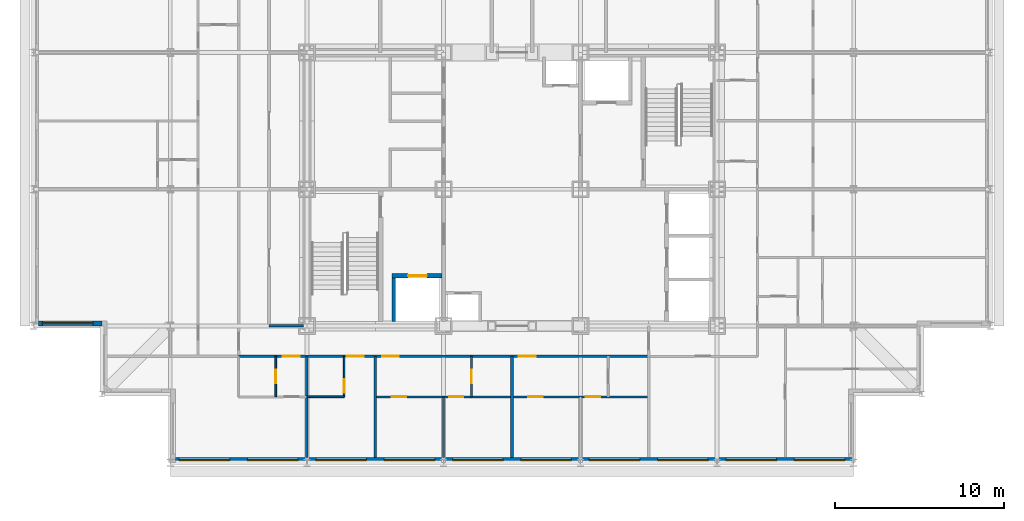
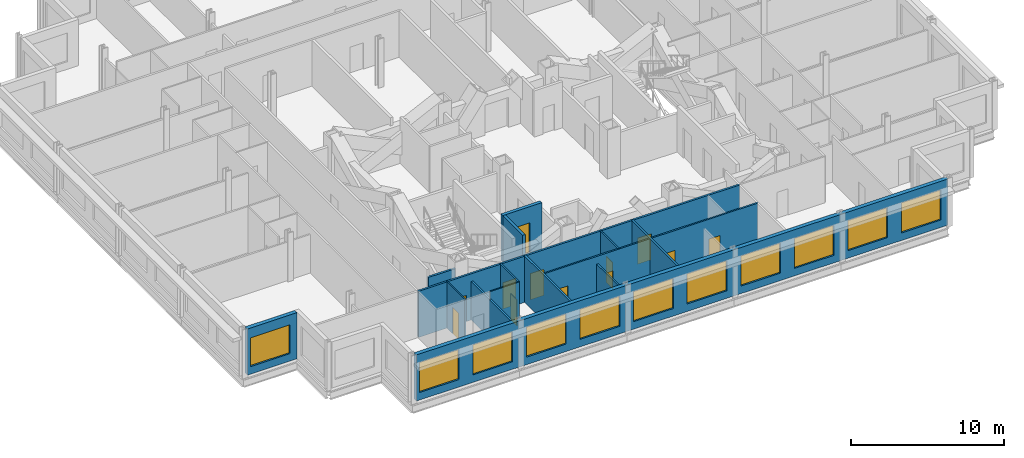
# One storey, part 7 of 15: 15 walls, 12 doors, 11 windows, 23 openings.
"""IFC4 building model written with IfcOpenShell, lengths in metres."""

from ifc_helpers import new_model, si_unit, direction, frame, frame_2d, origin, place, context, subcontext, project, spatial, rectangle, extrude, material, layer, layer_set, type_object, element, fill, save


model = new_model("IFC4")

# Units and contexts
model_context = context("Model", 3, precision=1e-05, world=origin(), true_north=direction((0.0, 1.0)))
body_context = subcontext(model_context, "Body", "Model", "MODEL_VIEW")
ifc_project = project(units=[si_unit("LENGTHUNIT", "METRE"), si_unit("AREAUNIT", "SQUARE_METRE"), si_unit("VOLUMEUNIT", "CUBIC_METRE"), si_unit("PLANEANGLEUNIT", "RADIAN"), si_unit("MASSUNIT", "GRAM", prefix="KILO")], contexts=[model_context])

# Site, building, storey
site_placement = place(None, origin())
site = spatial("IfcSite", under=ifc_project, at=site_placement, CompositionType="ELEMENT")
building_placement = place(site_placement, origin())
building = spatial("IfcBuilding", under=site, at=building_placement, Name="Kopane Lantern Tower", CompositionType="ELEMENT")
storey_placement = place(building_placement, frame((0.0, 0.0, 250.199951171875)))
storey = spatial("IfcBuildingStorey", under=building, at=storey_placement, Name="L64", CompositionType="ELEMENT", Elevation=250.199951171875)

# Wall, openings, doors
ifc_material_1 = material(Name="Gypsum board on steel studs", Category="steel")
ifc_layer_1 = layer(ifc_material_1, 0.1201171875)
ifc_layer_set_1 = layer_set([ifc_layer_1], Name="APARTMENT INTERNAL WALL 120")
wall_type_1 = type_object("IfcWallType", Name="APARTMENT INTERNAL WALL 120", PredefinedType="PARTITIONING", material=ifc_layer_set_1)
wall_1_placement = place(storey_placement, frame((20.25, 20.10009765625, 0.0), z_axis=(0.0, 0.0, 1.0), x_axis=(1.0, 0.0, 0.0)))
wall_1 = element("IfcWall", 1, at=wall_1_placement, inside=storey, type_object=wall_type_1, Name="Apartment Internal Wall 120 L64", PredefinedType="PARTITIONING", context=body_context, shape_type="SweptSolid", body=[
    extrude(rectangle(XDim=16.199951171875, YDim=0.1201171875, at=frame_2d((8.10009765625, 0.0))), origin(), (0.0, 0.0, 1.0), 3.68994140625),
])
opening_1_placement = place(wall_1_placement, frame((0.97509765625, 0.0, 0.0)))
opening_1 = element("IfcOpeningElement", 2, at=opening_1_placement, cuts=wall_1, Name="Opening L64-012", PredefinedType="OPENING", context=body_context, shape_type="SweptSolid", body=[
    extrude(rectangle(XDim=0.85009765625, YDim=2.10009765625, at=frame_2d((0.425048828125, 1.050048828125))), frame((0.0, 0.070068359375, 0.0), z_axis=(0.0, -1.0, 0.0), x_axis=(1.0, 0.0, 0.0)), (0.0, 0.0, 1.0), 0.14013671875),
])
opening_2_placement = place(wall_1_placement, frame((4.375, 0.0, 0.0)))
opening_2 = element("IfcOpeningElement", 3, at=opening_2_placement, cuts=wall_1, Name="Opening L64-013", PredefinedType="OPENING", context=body_context, shape_type="SweptSolid", body=[
    extrude(rectangle(XDim=0.85009765625, YDim=2.10009765625, at=frame_2d((0.425048828125, 1.050048828125))), frame((0.0, 0.070068359375, 0.0), z_axis=(0.0, -1.0, 0.0), x_axis=(1.0, 0.0, 0.0)), (0.0, 0.0, 1.0), 0.14013671875),
])
opening_3_placement = place(wall_1_placement, frame((9.074951171875, 0.0, 0.0)))
opening_3 = element("IfcOpeningElement", 4, at=opening_3_placement, cuts=wall_1, Name="Opening L64-016", PredefinedType="OPENING", context=body_context, shape_type="SweptSolid", body=[
    extrude(rectangle(XDim=0.85009765625, YDim=2.10009765625, at=frame_2d((0.425048828125, 1.050048828125))), frame((0.0, 0.070068359375, 0.0), z_axis=(0.0, -1.0, 0.0), x_axis=(1.0, 0.0, 0.0)), (0.0, 0.0, 1.0), 0.14013671875),
])
opening_4_placement = place(wall_1_placement, frame((12.47509765625, 0.0, 0.0)))
opening_4 = element("IfcOpeningElement", 5, at=opening_4_placement, cuts=wall_1, Name="Opening L64-017", PredefinedType="OPENING", context=body_context, shape_type="SweptSolid", body=[
    extrude(rectangle(XDim=0.85009765625, YDim=2.10009765625, at=frame_2d((0.425048828125, 1.050048828125))), frame((0.0, 0.070068359375, 0.0), z_axis=(0.0, -1.0, 0.0), x_axis=(1.0, 0.0, 0.0)), (0.0, 0.0, 1.0), 0.14013671875),
])
ifc_material_2 = material(Name="Timber door set", Category="wood")
door_type_1 = type_object("IfcDoorType", Name="DOOR D4 850x2100", OperationType="SINGLE_SWING_LEFT", PredefinedType="DOOR", material=ifc_material_2)
door_1_placement = place(opening_1_placement, origin())
door_1 = element("IfcDoor", 6, at=door_1_placement, inside=storey, type_object=door_type_1, Name="Door L64-012", OperationType="SINGLE_SWING_LEFT", OverallHeight=2.10009765625, OverallWidth=0.85009765625, PredefinedType="DOOR", context=body_context, shape_type="SweptSolid", body=[
    extrude(rectangle(XDim=0.85009765625, YDim=2.10009765625, at=frame_2d((0.425048828125, 1.050048828125))), frame((0.0, 0.02490234375, 0.0), z_axis=(0.0, -1.0, 0.0), x_axis=(1.0, 0.0, 0.0)), (0.0, 0.0, 1.0), 0.050048828125),
])
fill(opening_1, door_1)
door_2_placement = place(opening_2_placement, origin())
door_2 = element("IfcDoor", 7, at=door_2_placement, inside=storey, type_object=door_type_1, Name="Door L64-013", OperationType="SINGLE_SWING_RIGHT", OverallHeight=2.10009765625, OverallWidth=0.85009765625, PredefinedType="DOOR", context=body_context, shape_type="SweptSolid", body=[
    extrude(rectangle(XDim=0.85009765625, YDim=2.10009765625, at=frame_2d((0.425048828125, 1.050048828125))), frame((0.0, 0.02490234375, 0.0), z_axis=(0.0, -1.0, 0.0), x_axis=(1.0, 0.0, 0.0)), (0.0, 0.0, 1.0), 0.050048828125),
])
fill(opening_2, door_2)
door_3_placement = place(opening_3_placement, origin())
door_3 = element("IfcDoor", 8, at=door_3_placement, inside=storey, type_object=door_type_1, Name="Door L64-016", OperationType="SINGLE_SWING_LEFT", OverallHeight=2.10009765625, OverallWidth=0.85009765625, PredefinedType="DOOR", context=body_context, shape_type="SweptSolid", body=[
    extrude(rectangle(XDim=0.85009765625, YDim=2.10009765625, at=frame_2d((0.425048828125, 1.050048828125))), frame((0.0, 0.02490234375, 0.0), z_axis=(0.0, -1.0, 0.0), x_axis=(1.0, 0.0, 0.0)), (0.0, 0.0, 1.0), 0.050048828125),
])
fill(opening_3, door_3)
door_4_placement = place(opening_4_placement, origin())
door_4 = element("IfcDoor", 9, at=door_4_placement, inside=storey, type_object=door_type_1, Name="Door L64-017", OperationType="SINGLE_SWING_RIGHT", OverallHeight=2.10009765625, OverallWidth=0.85009765625, PredefinedType="DOOR", context=body_context, shape_type="SweptSolid", body=[
    extrude(rectangle(XDim=0.85009765625, YDim=2.10009765625, at=frame_2d((0.425048828125, 1.050048828125))), frame((0.0, 0.02490234375, 0.0), z_axis=(0.0, -1.0, 0.0), x_axis=(1.0, 0.0, 0.0)), (0.0, 0.0, 1.0), 0.050048828125),
])
fill(opening_4, door_4)

# Walls
wall_2_placement = place(storey_placement, frame((24.300048828125, 20.10009765625, 0.0), z_axis=(0.0, 0.0, 1.0), x_axis=(0.0, -1.0, 0.0)))
element("IfcWall", 10, at=wall_2_placement, inside=storey, type_object=wall_type_1, Name="Apartment Internal Wall 120 L64", PredefinedType="PARTITIONING", context=body_context, shape_type="SweptSolid", body=[
    extrude(rectangle(XDim=3.60009765625, YDim=0.1201171875, at=frame_2d((1.800048828125, 0.0))), origin(), (0.0, 0.0, 1.0), 3.077880859375),
])
ifc_material_3 = material(Name="Moisture-resistant board on steel studs", Category="steel")
ifc_layer_2 = layer(ifc_material_3, 0.10009765625)
ifc_layer_set_2 = layer_set([ifc_layer_2], Name="BATHROOM WALL 100")
wall_type_2 = type_object("IfcWallType", Name="BATHROOM WALL 100", PredefinedType="PARTITIONING", material=ifc_layer_set_2)
wall_3_placement = place(storey_placement, frame((16.199951171875, 20.10009765625, 0.0), z_axis=(0.0, 0.0, 1.0), x_axis=(1.0, 0.0, 0.0)))
element("IfcWall", 11, at=wall_3_placement, inside=storey, type_object=wall_type_2, Name="Bathroom Wall 100 L64", PredefinedType="PARTITIONING", context=body_context, shape_type="SweptSolid", body=[
    extrude(rectangle(XDim=2.199951171875, YDim=0.10009765625, at=frame_2d((1.10009765625, 0.0))), origin(), (0.0, 0.0, 1.0), 3.68994140625),
])

# Wall, opening, door
wall_4_placement = place(storey_placement, frame((18.39990234375, 22.5, 0.0), z_axis=(0.0, 0.0, 1.0), x_axis=(0.0, -1.0, 0.0)))
wall_4 = element("IfcWall", 12, at=wall_4_placement, inside=storey, type_object=wall_type_2, Name="Bathroom Wall 100 L64", PredefinedType="PARTITIONING", context=body_context, shape_type="SweptSolid", body=[
    extrude(rectangle(XDim=2.39990234375, YDim=0.10009765625, at=frame_2d((1.199951171875, 0.0))), origin(), (0.0, 0.0, 1.0), 3.68994140625),
])
opening_5_placement = place(wall_4_placement, frame((1.35009765625, 0.0, 0.0)))
opening_5 = element("IfcOpeningElement", 13, at=opening_5_placement, cuts=wall_4, Name="Opening L64-008", PredefinedType="OPENING", context=body_context, shape_type="SweptSolid", body=[
    extrude(rectangle(XDim=0.800048828125, YDim=2.10009765625, at=frame_2d((0.39990234375, 1.050048828125))), frame((0.0, 0.06005859375, 0.0), z_axis=(0.0, -1.0, 0.0), x_axis=(1.0, 0.0, 0.0)), (0.0, 0.0, 1.0), 0.1201171875),
])
ifc_material_4 = material(Name="Timber door set", Category="wood")
door_type_2 = type_object("IfcDoorType", Name="DOOR D2 800x2100", OperationType="SINGLE_SWING_LEFT", PredefinedType="DOOR", material=ifc_material_4)
door_5_placement = place(opening_5_placement, origin())
door_5 = element("IfcDoor", 14, at=door_5_placement, inside=storey, type_object=door_type_2, Name="Door L64-008", OperationType="SINGLE_SWING_LEFT", OverallHeight=2.10009765625, OverallWidth=0.800048828125, PredefinedType="DOOR", context=body_context, shape_type="SweptSolid", body=[
    extrude(rectangle(XDim=0.800048828125, YDim=2.10009765625, at=frame_2d((0.39990234375, 1.050048828125))), frame((0.0, 0.02490234375, 0.0), z_axis=(0.0, -1.0, 0.0), x_axis=(1.0, 0.0, 0.0)), (0.0, 0.0, 1.0), 0.050048828125),
])
fill(opening_5, door_5)

wall_5_placement = place(storey_placement, frame((25.949951171875, 22.5, 0.0), z_axis=(0.0, 0.0, 1.0), x_axis=(0.0, -1.0, 0.0)))
wall_5 = element("IfcWall", 15, at=wall_5_placement, inside=storey, type_object=wall_type_2, Name="Bathroom Wall 100 L64", PredefinedType="PARTITIONING", context=body_context, shape_type="SweptSolid", body=[
    extrude(rectangle(XDim=2.39990234375, YDim=0.10009765625, at=frame_2d((1.199951171875, 0.0))), origin(), (0.0, 0.0, 1.0), 3.68994140625),
])
opening_6_placement = place(wall_5_placement, frame((0.800048828125, 0.0, 0.0)))
opening_6 = element("IfcOpeningElement", 16, at=opening_6_placement, cuts=wall_5, Name="Opening L64-010", PredefinedType="OPENING", context=body_context, shape_type="SweptSolid", body=[
    extrude(rectangle(XDim=0.800048828125, YDim=2.10009765625, at=frame_2d((0.39990234375, 1.050048828125))), frame((0.0, 0.06005859375, 0.0), z_axis=(0.0, -1.0, 0.0), x_axis=(1.0, 0.0, 0.0)), (0.0, 0.0, 1.0), 0.1201171875),
])
door_6_placement = place(opening_6_placement, origin())
door_6 = element("IfcDoor", 17, at=door_6_placement, inside=storey, type_object=door_type_2, Name="Door L64-010", OperationType="SINGLE_SWING_LEFT", OverallHeight=2.10009765625, OverallWidth=0.800048828125, PredefinedType="DOOR", context=body_context, shape_type="SweptSolid", body=[
    extrude(rectangle(XDim=0.800048828125, YDim=2.10009765625, at=frame_2d((0.39990234375, 1.050048828125))), frame((0.0, 0.02490234375, 0.0), z_axis=(0.0, -1.0, 0.0), x_axis=(1.0, 0.0, 0.0)), (0.0, 0.0, 1.0), 0.050048828125),
])
fill(opening_6, door_6)

wall_6_placement = place(storey_placement, frame((14.35009765625, 22.5, 0.0), z_axis=(0.0, 0.0, 1.0), x_axis=(0.0, -1.0, 0.0)))
wall_6 = element("IfcWall", 18, at=wall_6_placement, inside=storey, type_object=wall_type_2, Name="Bathroom Wall 100 L64", PredefinedType="PARTITIONING", context=body_context, shape_type="SweptSolid", body=[
    extrude(rectangle(XDim=2.39990234375, YDim=0.10009765625, at=frame_2d((1.199951171875, 0.0))), origin(), (0.0, 0.0, 1.0), 3.68994140625),
])
opening_7_placement = place(wall_6_placement, frame((0.800048828125, 0.0, 0.0)))
opening_7 = element("IfcOpeningElement", 19, at=opening_7_placement, cuts=wall_6, Name="Opening L64-036", PredefinedType="OPENING", context=body_context, shape_type="SweptSolid", body=[
    extrude(rectangle(XDim=0.800048828125, YDim=2.10009765625, at=frame_2d((0.39990234375, 1.050048828125))), frame((0.0, 0.06005859375, 0.0), z_axis=(0.0, -1.0, 0.0), x_axis=(1.0, 0.0, 0.0)), (0.0, 0.0, 1.0), 0.1201171875),
])
door_7_placement = place(opening_7_placement, origin())
door_7 = element("IfcDoor", 20, at=door_7_placement, inside=storey, type_object=door_type_2, Name="Door L64-036", OperationType="SINGLE_SWING_RIGHT", OverallHeight=2.10009765625, OverallWidth=0.800048828125, PredefinedType="DOOR", context=body_context, shape_type="SweptSolid", body=[
    extrude(rectangle(XDim=0.800048828125, YDim=2.10009765625, at=frame_2d((0.39990234375, 1.050048828125))), frame((0.0, 0.02490234375, 0.0), z_axis=(0.0, -1.0, 0.0), x_axis=(1.0, 0.0, 0.0)), (0.0, 0.0, 1.0), 0.050048828125),
])
fill(opening_7, door_7)

ifc_material_5 = material(Name="Gypsum shaft wall EI 120", Category="gypsum")
ifc_layer_3 = layer(ifc_material_5, 0.25)
ifc_layer_set_3 = layer_set([ifc_layer_3], Name="CORE SHAFT WALL 250 EI 120")
wall_type_3 = type_object("IfcWallType", Name="CORE SHAFT WALL 250 EI 120", PredefinedType="SOLIDWALL", material=ifc_layer_set_3)
wall_7_placement = place(storey_placement, frame((21.25, 27.27490234375, 0.0), z_axis=(0.0, 0.0, 1.0), x_axis=(1.0, 0.0, 0.0)))
wall_7 = element("IfcWall", 21, at=wall_7_placement, inside=storey, type_object=wall_type_3, Name="Core shaft wall L64 YLF1", PredefinedType="SOLIDWALL", context=body_context, shape_type="SweptSolid", body=[
    extrude(rectangle(XDim=2.949951171875, YDim=0.25, at=frame_2d((1.47509765625, 0.0))), origin(), (0.0, 0.0, 1.0), 3.68994140625),
])
opening_8_placement = place(wall_7_placement, frame((0.949951171875, 0.0, 0.0)))
opening_8 = element("IfcOpeningElement", 22, at=opening_8_placement, cuts=wall_7, Name="Opening 64.LD-LF1", PredefinedType="OPENING", context=body_context, shape_type="SweptSolid", body=[
    extrude(rectangle(XDim=1.10009765625, YDim=2.39990234375, at=frame_2d((0.550048828125, 1.199951171875))), frame((0.0, 0.135009765625, 0.0), z_axis=(0.0, -1.0, 0.0), x_axis=(1.0, 0.0, 0.0)), (0.0, 0.0, 1.0), 0.27001953125),
])
ifc_material_6 = material(Name="Steel door set", Category="steel")
door_type_3 = type_object("IfcDoorType", Name="LIFT LANDING DOOR 1100x2400 FD60", OperationType="DOUBLE_DOOR_SLIDING", PredefinedType="DOOR", material=ifc_material_6)
door_8_placement = place(opening_8_placement, origin())
door_8 = element("IfcDoor", 23, at=door_8_placement, inside=storey, type_object=door_type_3, Name="Landing door LF1 L64", OperationType="DOUBLE_DOOR_SLIDING", OverallHeight=2.39990234375, OverallWidth=1.10009765625, PredefinedType="DOOR", context=body_context, shape_type="SweptSolid", body=[
    extrude(rectangle(XDim=1.10009765625, YDim=2.39990234375, at=frame_2d((0.550048828125, 1.199951171875))), frame((0.0, 0.02490234375, 0.0), z_axis=(0.0, -1.0, 0.0), x_axis=(1.0, 0.0, 0.0)), (0.0, 0.0, 1.0), 0.050048828125),
])
fill(opening_8, door_8)

# Wall, openings, doors
ifc_material_7 = material(Name="Gypsum board on steel studs", Category="steel")
ifc_layer_4 = layer(ifc_material_7, 0.14990234375)
ifc_layer_set_4 = layer_set([ifc_layer_4], Name="CORRIDOR WALL 150 EI 60")
wall_type_4 = type_object("IfcWallType", Name="CORRIDOR WALL 150 EI 60", PredefinedType="PARTITIONING", material=ifc_layer_set_4)
wall_8_placement = place(storey_placement, frame((12.14990234375, 22.5, 0.0), z_axis=(0.0, 0.0, 1.0), x_axis=(1.0, 0.0, 0.0)))
wall_8 = element("IfcWall", 24, at=wall_8_placement, inside=storey, type_object=wall_type_4, Name="Corridor Wall 150 Ei 60 L64", PredefinedType="PARTITIONING", context=body_context, shape_type="SweptSolid", body=[
    extrude(rectangle(XDim=24.300048828125, YDim=0.14990234375, at=frame_2d((12.14990234375, 0.0))), origin(), (0.0, 0.0, 1.0), 3.68994140625),
])
opening_9_placement = place(wall_8_placement, frame((6.39990234375, 0.0, 0.0)))
opening_9 = element("IfcOpeningElement", 25, at=opening_9_placement, cuts=wall_8, Name="Opening L64-009", PredefinedType="OPENING", context=body_context, shape_type="SweptSolid", body=[
    extrude(rectangle(XDim=1.0, YDim=2.10009765625, at=frame_2d((0.5, 1.050048828125))), frame((0.0, 0.0849609375, 0.0), z_axis=(0.0, -1.0, 0.0), x_axis=(1.0, 0.0, 0.0)), (0.0, 0.0, 1.0), 0.169921875),
])
opening_10_placement = place(wall_8_placement, frame((8.5, 0.0, 0.0)))
opening_10 = element("IfcOpeningElement", 26, at=opening_10_placement, cuts=wall_8, Name="Opening L64-011", PredefinedType="OPENING", context=body_context, shape_type="SweptSolid", body=[
    extrude(rectangle(XDim=1.0, YDim=2.10009765625, at=frame_2d((0.5, 1.050048828125))), frame((0.0, 0.0849609375, 0.0), z_axis=(0.0, -1.0, 0.0), x_axis=(1.0, 0.0, 0.0)), (0.0, 0.0, 1.0), 0.169921875),
])
opening_11_placement = place(wall_8_placement, frame((16.60009765625, 0.0, 0.0)))
opening_11 = element("IfcOpeningElement", 27, at=opening_11_placement, cuts=wall_8, Name="Opening L64-015", PredefinedType="OPENING", context=body_context, shape_type="SweptSolid", body=[
    extrude(rectangle(XDim=1.0, YDim=2.10009765625, at=frame_2d((0.5, 1.050048828125))), frame((0.0, 0.0849609375, 0.0), z_axis=(0.0, -1.0, 0.0), x_axis=(1.0, 0.0, 0.0)), (0.0, 0.0, 1.0), 0.169921875),
])
opening_12_placement = place(wall_8_placement, frame((2.625, 0.0, 0.0)))
opening_12 = element("IfcOpeningElement", 28, at=opening_12_placement, cuts=wall_8, Name="Opening L64-037", PredefinedType="OPENING", context=body_context, shape_type="SweptSolid", body=[
    extrude(rectangle(XDim=1.0, YDim=2.10009765625, at=frame_2d((0.5, 1.050048828125))), frame((0.0, 0.0849609375, 0.0), z_axis=(0.0, -1.0, 0.0), x_axis=(1.0, 0.0, 0.0)), (0.0, 0.0, 1.0), 0.169921875),
])
ifc_material_8 = material(Name="Steel door set", Category="steel")
door_type_4 = type_object("IfcDoorType", Name="DOOR D3 1000x2100 FD30S", OperationType="SINGLE_SWING_LEFT", PredefinedType="DOOR", material=ifc_material_8)
door_9_placement = place(opening_9_placement, origin())
door_9 = element("IfcDoor", 29, at=door_9_placement, inside=storey, type_object=door_type_4, Name="Door L64-009", OperationType="SINGLE_SWING_RIGHT", OverallHeight=2.10009765625, OverallWidth=1.0, PredefinedType="DOOR", context=body_context, shape_type="SweptSolid", body=[
    extrude(rectangle(XDim=1.0, YDim=2.10009765625, at=frame_2d((0.5, 1.050048828125))), frame((0.0, 0.02490234375, 0.0), z_axis=(0.0, -1.0, 0.0), x_axis=(1.0, 0.0, 0.0)), (0.0, 0.0, 1.0), 0.050048828125),
])
fill(opening_9, door_9)
door_10_placement = place(opening_10_placement, origin())
door_10 = element("IfcDoor", 30, at=door_10_placement, inside=storey, type_object=door_type_4, Name="Door L64-011", OperationType="SINGLE_SWING_RIGHT", OverallHeight=2.10009765625, OverallWidth=1.0, PredefinedType="DOOR", context=body_context, shape_type="SweptSolid", body=[
    extrude(rectangle(XDim=1.0, YDim=2.10009765625, at=frame_2d((0.5, 1.050048828125))), frame((0.0, 0.02490234375, 0.0), z_axis=(0.0, -1.0, 0.0), x_axis=(1.0, 0.0, 0.0)), (0.0, 0.0, 1.0), 0.050048828125),
])
fill(opening_10, door_10)
door_11_placement = place(opening_11_placement, origin())
door_11 = element("IfcDoor", 31, at=door_11_placement, inside=storey, type_object=door_type_4, Name="Door L64-015", OperationType="SINGLE_SWING_RIGHT", OverallHeight=2.10009765625, OverallWidth=1.0, PredefinedType="DOOR", context=body_context, shape_type="SweptSolid", body=[
    extrude(rectangle(XDim=1.0, YDim=2.10009765625, at=frame_2d((0.5, 1.050048828125))), frame((0.0, 0.02490234375, 0.0), z_axis=(0.0, -1.0, 0.0), x_axis=(1.0, 0.0, 0.0)), (0.0, 0.0, 1.0), 0.050048828125),
])
fill(opening_11, door_11)
door_12_placement = place(opening_12_placement, origin())
door_12 = element("IfcDoor", 32, at=door_12_placement, inside=storey, type_object=door_type_4, Name="Door L64-037", OperationType="SINGLE_SWING_RIGHT", OverallHeight=2.10009765625, OverallWidth=1.0, PredefinedType="DOOR", context=body_context, shape_type="SweptSolid", body=[
    extrude(rectangle(XDim=1.0, YDim=2.10009765625, at=frame_2d((0.5, 1.050048828125))), frame((0.0, 0.02490234375, 0.0), z_axis=(0.0, -1.0, 0.0), x_axis=(1.0, 0.0, 0.0)), (0.0, 0.0, 1.0), 0.050048828125),
])
fill(opening_12, door_12)

# Walls
wall_9_placement = place(storey_placement, frame((16.0, 24.300048828125, 0.0), z_axis=(0.0, 0.0, 1.0), x_axis=(-1.0, 0.0, 0.0)))
element("IfcWall", 33, at=wall_9_placement, inside=storey, type_object=wall_type_4, Name="Corridor Wall 150 Ei 60 L64", PredefinedType="PARTITIONING", context=body_context, shape_type="SweptSolid", body=[
    extrude(rectangle(XDim=2.050048828125, YDim=0.14990234375, at=frame_2d((1.02490234375, 0.0))), origin(), (0.0, 0.0, 1.0), 3.077880859375),
])
ifc_material_9 = material(Name="Gypsum board on steel studs", Category="steel")
ifc_layer_5 = layer(ifc_material_9, 0.14990234375)
ifc_layer_set_5 = layer_set([ifc_layer_5], Name="DEMISING WALL 150 EI 60")
wall_type_5 = type_object("IfcWallType", Name="DEMISING WALL 150 EI 60", PredefinedType="PARTITIONING", material=ifc_layer_set_5)
for number, where, z_axis, x_axis, name in (
    (34, (20.25, 22.5, 0.0), (0.0, 0.0, 1.0), (0.0, -1.0, 0.0), "Demising Wall 150 Ei 60 L64"),
    (35, (28.35009765625, 22.5, 0.0), (0.0, 0.0, 1.0), (0.0, -1.0, 0.0), "Demising Wall 150 Ei 60 L64"),
):
    element("IfcWall", number, at=place(storey_placement, frame(where, z_axis=z_axis, x_axis=x_axis)), inside=storey, type_object=wall_type_5, Name=name, PredefinedType="PARTITIONING", context=body_context, shape_type="SweptSolid", body=[
        extrude(rectangle(XDim=6.0, YDim=0.14990234375, at=frame_2d((3.0, 0.0))), origin(), (0.0, 0.0, 1.0), 3.68994140625),
    ])
wall_10_placement = place(storey_placement, frame((16.199951171875, 22.5, 0.0), z_axis=(0.0, 0.0, 1.0), x_axis=(0.0, -1.0, 0.0)))
element("IfcWall", 36, at=wall_10_placement, inside=storey, type_object=wall_type_5, Name="Demising Wall 150 Ei 60 L64", PredefinedType="PARTITIONING", context=body_context, shape_type="SweptSolid", body=[
    extrude(rectangle(XDim=6.0, YDim=0.14990234375, at=frame_2d((3.0, 0.0))), origin(), (0.0, 0.0, 1.0), 3.077880859375),
])

# Wall, openings, windows
ifc_material_10 = material(Name="Terracotta rainscreen on light steel framing", Category="masonry")
ifc_layer_6 = layer(ifc_material_10, 0.300048828125)
ifc_layer_set_6 = layer_set([ifc_layer_6], Name="EXTERNAL WALL EW1 300 TERRACOTTA")
wall_type_6 = type_object("IfcWallType", Name="EXTERNAL WALL EW1 300 TERRACOTTA", PredefinedType="SOLIDWALL", material=ifc_layer_set_6)
wall_11_placement = place(storey_placement, frame((8.39990234375, 16.35009765625, 0.0), z_axis=(0.0, 0.0, 1.0), x_axis=(1.0, 0.0, 0.0)))
wall_11 = element("IfcWall", 37, at=wall_11_placement, inside=storey, type_object=wall_type_6, Name="External wall S L64", PredefinedType="SOLIDWALL", context=body_context, shape_type="SweptSolid", body=[
    extrude(rectangle(XDim=40.2001953125, YDim=0.300048828125, at=frame_2d((20.10009765625, 0.0))), origin(), (0.0, 0.0, 1.0), 3.68994140625),
])
opening_13_placement = place(wall_11_placement, frame((0.22509765625, 0.0, 0.60009765625)))
opening_13 = element("IfcOpeningElement", 38, at=opening_13_placement, cuts=wall_11, Name="Opening WR300240", PredefinedType="OPENING", context=body_context, shape_type="SweptSolid", body=[
    extrude(rectangle(XDim=3.0, YDim=2.39990234375, at=frame_2d((1.5, 1.199951171875))), frame((0.0, 0.159912109375, 0.0), z_axis=(0.0, -1.0, 0.0), x_axis=(1.0, 0.0, 0.0)), (0.0, 0.0, 1.0), 0.320068359375),
])
opening_14_placement = place(wall_11_placement, frame((4.27490234375, 0.0, 0.60009765625)))
opening_14 = element("IfcOpeningElement", 39, at=opening_14_placement, cuts=wall_11, Name="Opening WR300240", PredefinedType="OPENING", context=body_context, shape_type="SweptSolid", body=[
    extrude(rectangle(XDim=3.0, YDim=2.39990234375, at=frame_2d((1.5, 1.199951171875))), frame((0.0, 0.159912109375, 0.0), z_axis=(0.0, -1.0, 0.0), x_axis=(1.0, 0.0, 0.0)), (0.0, 0.0, 1.0), 0.320068359375),
])
opening_15_placement = place(wall_11_placement, frame((8.324951171875, 0.0, 0.60009765625)))
opening_15 = element("IfcOpeningElement", 40, at=opening_15_placement, cuts=wall_11, Name="Opening WR300240", PredefinedType="OPENING", context=body_context, shape_type="SweptSolid", body=[
    extrude(rectangle(XDim=3.0, YDim=2.39990234375, at=frame_2d((1.5, 1.199951171875))), frame((0.0, 0.159912109375, 0.0), z_axis=(0.0, -1.0, 0.0), x_axis=(1.0, 0.0, 0.0)), (0.0, 0.0, 1.0), 0.320068359375),
])
opening_16_placement = place(wall_11_placement, frame((12.375, 0.0, 0.60009765625)))
opening_16 = element("IfcOpeningElement", 41, at=opening_16_placement, cuts=wall_11, Name="Opening WR300240", PredefinedType="OPENING", context=body_context, shape_type="SweptSolid", body=[
    extrude(rectangle(XDim=3.0, YDim=2.39990234375, at=frame_2d((1.5, 1.199951171875))), frame((0.0, 0.159912109375, 0.0), z_axis=(0.0, -1.0, 0.0), x_axis=(1.0, 0.0, 0.0)), (0.0, 0.0, 1.0), 0.320068359375),
])
opening_17_placement = place(wall_11_placement, frame((16.425048828125, 0.0, 0.60009765625)))
opening_17 = element("IfcOpeningElement", 42, at=opening_17_placement, cuts=wall_11, Name="Opening WR300240", PredefinedType="OPENING", context=body_context, shape_type="SweptSolid", body=[
    extrude(rectangle(XDim=3.0, YDim=2.39990234375, at=frame_2d((1.5, 1.199951171875))), frame((0.0, 0.159912109375, 0.0), z_axis=(0.0, -1.0, 0.0), x_axis=(1.0, 0.0, 0.0)), (0.0, 0.0, 1.0), 0.320068359375),
])
opening_18_placement = place(wall_11_placement, frame((20.47509765625, 0.0, 0.60009765625)))
opening_18 = element("IfcOpeningElement", 43, at=opening_18_placement, cuts=wall_11, Name="Opening WR300240", PredefinedType="OPENING", context=body_context, shape_type="SweptSolid", body=[
    extrude(rectangle(XDim=3.0, YDim=2.39990234375, at=frame_2d((1.5, 1.199951171875))), frame((0.0, 0.159912109375, 0.0), z_axis=(0.0, -1.0, 0.0), x_axis=(1.0, 0.0, 0.0)), (0.0, 0.0, 1.0), 0.320068359375),
])
opening_19_placement = place(wall_11_placement, frame((24.52490234375, 0.0, 0.60009765625)))
opening_19 = element("IfcOpeningElement", 44, at=opening_19_placement, cuts=wall_11, Name="Opening WR300240", PredefinedType="OPENING", context=body_context, shape_type="SweptSolid", body=[
    extrude(rectangle(XDim=3.0, YDim=2.39990234375, at=frame_2d((1.5, 1.199951171875))), frame((0.0, 0.159912109375, 0.0), z_axis=(0.0, -1.0, 0.0), x_axis=(1.0, 0.0, 0.0)), (0.0, 0.0, 1.0), 0.320068359375),
])
opening_20_placement = place(wall_11_placement, frame((28.574951171875, 0.0, 0.60009765625)))
opening_20 = element("IfcOpeningElement", 45, at=opening_20_placement, cuts=wall_11, Name="Opening WR300240", PredefinedType="OPENING", context=body_context, shape_type="SweptSolid", body=[
    extrude(rectangle(XDim=3.0, YDim=2.39990234375, at=frame_2d((1.5, 1.199951171875))), frame((0.0, 0.159912109375, 0.0), z_axis=(0.0, -1.0, 0.0), x_axis=(1.0, 0.0, 0.0)), (0.0, 0.0, 1.0), 0.320068359375),
])
opening_21_placement = place(wall_11_placement, frame((32.625, 0.0, 0.60009765625)))
opening_21 = element("IfcOpeningElement", 46, at=opening_21_placement, cuts=wall_11, Name="Opening WR300240", PredefinedType="OPENING", context=body_context, shape_type="SweptSolid", body=[
    extrude(rectangle(XDim=3.0, YDim=2.39990234375, at=frame_2d((1.5, 1.199951171875))), frame((0.0, 0.159912109375, 0.0), z_axis=(0.0, -1.0, 0.0), x_axis=(1.0, 0.0, 0.0)), (0.0, 0.0, 1.0), 0.320068359375),
])
opening_22_placement = place(wall_11_placement, frame((36.675048828125, 0.0, 0.60009765625)))
opening_22 = element("IfcOpeningElement", 47, at=opening_22_placement, cuts=wall_11, Name="Opening WR300240", PredefinedType="OPENING", context=body_context, shape_type="SweptSolid", body=[
    extrude(rectangle(XDim=3.0, YDim=2.39990234375, at=frame_2d((1.5, 1.199951171875))), frame((0.0, 0.159912109375, 0.0), z_axis=(0.0, -1.0, 0.0), x_axis=(1.0, 0.0, 0.0)), (0.0, 0.0, 1.0), 0.320068359375),
])
ifc_material_11 = material(Name="Aluminium and clear glass", Category="aluminium")
window_type_1 = type_object("IfcWindowType", Name="RIBBON WINDOW WR300240 3000x2400", PartitioningType="SINGLE_PANEL", PredefinedType="WINDOW", material=ifc_material_11)
window_1_placement = place(opening_13_placement, origin())
window_1 = element("IfcWindow", 48, at=window_1_placement, inside=storey, type_object=window_type_1, Name="Window S L64", OverallHeight=2.39990234375, OverallWidth=3.0, PartitioningType="SINGLE_PANEL", PredefinedType="WINDOW", context=body_context, shape_type="SweptSolid", body=[
    extrude(rectangle(XDim=3.0, YDim=2.39990234375, at=frame_2d((1.5, 1.199951171875))), frame((0.0, 0.030029296875, 0.0), z_axis=(0.0, -1.0, 0.0), x_axis=(1.0, 0.0, 0.0)), (0.0, 0.0, 1.0), 0.06005859375),
])
fill(opening_13, window_1)
window_2_placement = place(opening_14_placement, origin())
window_2 = element("IfcWindow", 49, at=window_2_placement, inside=storey, type_object=window_type_1, Name="Window S L64", OverallHeight=2.39990234375, OverallWidth=3.0, PartitioningType="SINGLE_PANEL", PredefinedType="WINDOW", context=body_context, shape_type="SweptSolid", body=[
    extrude(rectangle(XDim=3.0, YDim=2.39990234375, at=frame_2d((1.5, 1.199951171875))), frame((0.0, 0.030029296875, 0.0), z_axis=(0.0, -1.0, 0.0), x_axis=(1.0, 0.0, 0.0)), (0.0, 0.0, 1.0), 0.06005859375),
])
fill(opening_14, window_2)
window_3_placement = place(opening_15_placement, origin())
window_3 = element("IfcWindow", 50, at=window_3_placement, inside=storey, type_object=window_type_1, Name="Window S L64", OverallHeight=2.39990234375, OverallWidth=3.0, PartitioningType="SINGLE_PANEL", PredefinedType="WINDOW", context=body_context, shape_type="SweptSolid", body=[
    extrude(rectangle(XDim=3.0, YDim=2.39990234375, at=frame_2d((1.5, 1.199951171875))), frame((0.0, 0.030029296875, 0.0), z_axis=(0.0, -1.0, 0.0), x_axis=(1.0, 0.0, 0.0)), (0.0, 0.0, 1.0), 0.06005859375),
])
fill(opening_15, window_3)
window_4_placement = place(opening_16_placement, origin())
window_4 = element("IfcWindow", 51, at=window_4_placement, inside=storey, type_object=window_type_1, Name="Window S L64", OverallHeight=2.39990234375, OverallWidth=3.0, PartitioningType="SINGLE_PANEL", PredefinedType="WINDOW", context=body_context, shape_type="SweptSolid", body=[
    extrude(rectangle(XDim=3.0, YDim=2.39990234375, at=frame_2d((1.5, 1.199951171875))), frame((0.0, 0.030029296875, 0.0), z_axis=(0.0, -1.0, 0.0), x_axis=(1.0, 0.0, 0.0)), (0.0, 0.0, 1.0), 0.06005859375),
])
fill(opening_16, window_4)
window_5_placement = place(opening_17_placement, origin())
window_5 = element("IfcWindow", 52, at=window_5_placement, inside=storey, type_object=window_type_1, Name="Window S L64", OverallHeight=2.39990234375, OverallWidth=3.0, PartitioningType="SINGLE_PANEL", PredefinedType="WINDOW", context=body_context, shape_type="SweptSolid", body=[
    extrude(rectangle(XDim=3.0, YDim=2.39990234375, at=frame_2d((1.5, 1.199951171875))), frame((0.0, 0.030029296875, 0.0), z_axis=(0.0, -1.0, 0.0), x_axis=(1.0, 0.0, 0.0)), (0.0, 0.0, 1.0), 0.06005859375),
])
fill(opening_17, window_5)
window_6_placement = place(opening_18_placement, origin())
window_6 = element("IfcWindow", 53, at=window_6_placement, inside=storey, type_object=window_type_1, Name="Window S L64", OverallHeight=2.39990234375, OverallWidth=3.0, PartitioningType="SINGLE_PANEL", PredefinedType="WINDOW", context=body_context, shape_type="SweptSolid", body=[
    extrude(rectangle(XDim=3.0, YDim=2.39990234375, at=frame_2d((1.5, 1.199951171875))), frame((0.0, 0.030029296875, 0.0), z_axis=(0.0, -1.0, 0.0), x_axis=(1.0, 0.0, 0.0)), (0.0, 0.0, 1.0), 0.06005859375),
])
fill(opening_18, window_6)
window_7_placement = place(opening_19_placement, origin())
window_7 = element("IfcWindow", 54, at=window_7_placement, inside=storey, type_object=window_type_1, Name="Window S L64", OverallHeight=2.39990234375, OverallWidth=3.0, PartitioningType="SINGLE_PANEL", PredefinedType="WINDOW", context=body_context, shape_type="SweptSolid", body=[
    extrude(rectangle(XDim=3.0, YDim=2.39990234375, at=frame_2d((1.5, 1.199951171875))), frame((0.0, 0.030029296875, 0.0), z_axis=(0.0, -1.0, 0.0), x_axis=(1.0, 0.0, 0.0)), (0.0, 0.0, 1.0), 0.06005859375),
])
fill(opening_19, window_7)
window_8_placement = place(opening_20_placement, origin())
window_8 = element("IfcWindow", 55, at=window_8_placement, inside=storey, type_object=window_type_1, Name="Window S L64", OverallHeight=2.39990234375, OverallWidth=3.0, PartitioningType="SINGLE_PANEL", PredefinedType="WINDOW", context=body_context, shape_type="SweptSolid", body=[
    extrude(rectangle(XDim=3.0, YDim=2.39990234375, at=frame_2d((1.5, 1.199951171875))), frame((0.0, 0.030029296875, 0.0), z_axis=(0.0, -1.0, 0.0), x_axis=(1.0, 0.0, 0.0)), (0.0, 0.0, 1.0), 0.06005859375),
])
fill(opening_20, window_8)
window_9_placement = place(opening_21_placement, origin())
window_9 = element("IfcWindow", 56, at=window_9_placement, inside=storey, type_object=window_type_1, Name="Window S L64", OverallHeight=2.39990234375, OverallWidth=3.0, PartitioningType="SINGLE_PANEL", PredefinedType="WINDOW", context=body_context, shape_type="SweptSolid", body=[
    extrude(rectangle(XDim=3.0, YDim=2.39990234375, at=frame_2d((1.5, 1.199951171875))), frame((0.0, 0.030029296875, 0.0), z_axis=(0.0, -1.0, 0.0), x_axis=(1.0, 0.0, 0.0)), (0.0, 0.0, 1.0), 0.06005859375),
])
fill(opening_21, window_9)
window_10_placement = place(opening_22_placement, origin())
window_10 = element("IfcWindow", 57, at=window_10_placement, inside=storey, type_object=window_type_1, Name="Window S L64", OverallHeight=2.39990234375, OverallWidth=3.0, PartitioningType="SINGLE_PANEL", PredefinedType="WINDOW", context=body_context, shape_type="SweptSolid", body=[
    extrude(rectangle(XDim=3.0, YDim=2.39990234375, at=frame_2d((1.5, 1.199951171875))), frame((0.0, 0.030029296875, 0.0), z_axis=(0.0, -1.0, 0.0), x_axis=(1.0, 0.0, 0.0)), (0.0, 0.0, 1.0), 0.06005859375),
])
fill(opening_22, window_10)

# Wall, opening, window
wall_12_placement = place(storey_placement, frame((0.300048828125, 24.449951171875, 0.0), z_axis=(0.0, 0.0, 1.0), x_axis=(1.0, 0.0, 0.0)))
wall_12 = element("IfcWall", 58, at=wall_12_placement, inside=storey, type_object=wall_type_6, Name="External wall S L64", PredefinedType="SOLIDWALL", context=body_context, shape_type="SweptSolid", body=[
    extrude(rectangle(XDim=3.75, YDim=0.300048828125, at=frame_2d((1.875, 0.0))), origin(), (0.0, 0.0, 1.0), 3.68994140625),
])
opening_23_placement = place(wall_12_placement, frame((0.22509765625, 0.0, 0.60009765625)))
opening_23 = element("IfcOpeningElement", 59, at=opening_23_placement, cuts=wall_12, Name="Opening WR300230", PredefinedType="OPENING", context=body_context, shape_type="SweptSolid", body=[
    extrude(rectangle(XDim=3.0, YDim=2.300048828125, at=frame_2d((1.5, 1.14990234375))), frame((0.0, 0.159912109375, 0.0), z_axis=(0.0, -1.0, 0.0), x_axis=(1.0, 0.0, 0.0)), (0.0, 0.0, 1.0), 0.320068359375),
])
ifc_material_12 = material(Name="Aluminium and clear glass", Category="aluminium")
window_type_2 = type_object("IfcWindowType", Name="RIBBON WINDOW WR300230 3000x2300", PartitioningType="SINGLE_PANEL", PredefinedType="WINDOW", material=ifc_material_12)
window_11_placement = place(opening_23_placement, origin())
window_11 = element("IfcWindow", 60, at=window_11_placement, inside=storey, type_object=window_type_2, Name="Window S L64", OverallHeight=2.300048828125, OverallWidth=3.0, PartitioningType="SINGLE_PANEL", PredefinedType="WINDOW", context=body_context, shape_type="SweptSolid", body=[
    extrude(rectangle(XDim=3.0, YDim=2.300048828125, at=frame_2d((1.5, 1.14990234375))), frame((0.0, 0.030029296875, 0.0), z_axis=(0.0, -1.0, 0.0), x_axis=(1.0, 0.0, 0.0)), (0.0, 0.0, 1.0), 0.06005859375),
])
fill(opening_23, window_11)

# Wall
ifc_material_13 = material(Name="Gypsum shaft wall EI 120", Category="gypsum")
ifc_layer_7 = layer(ifc_material_13, 0.199951171875)
ifc_layer_set_7 = layer_set([ifc_layer_7], Name="SHAFT WALL 200 EI 120")
wall_type_7 = type_object("IfcWallType", Name="SHAFT WALL 200 EI 120", PredefinedType="SOLIDWALL", material=ifc_layer_set_7)
wall_13_placement = place(storey_placement, frame((21.35009765625, 24.550048828125, 0.0), z_axis=(0.0, 0.0, 1.0), x_axis=(0.0, 1.0, 0.0)))
element("IfcWall", 61, at=wall_13_placement, inside=storey, type_object=wall_type_7, Name="Core shaft wall L64 XLF1", PredefinedType="SOLIDWALL", context=body_context, shape_type="SweptSolid", body=[
    extrude(rectangle(XDim=2.599853515625, YDim=0.199951171875, at=frame_2d((1.2998046875, 0.0))), origin(), (0.0, 0.0, 1.0), 3.68994140625),
])

save(model, "model.ifc")
